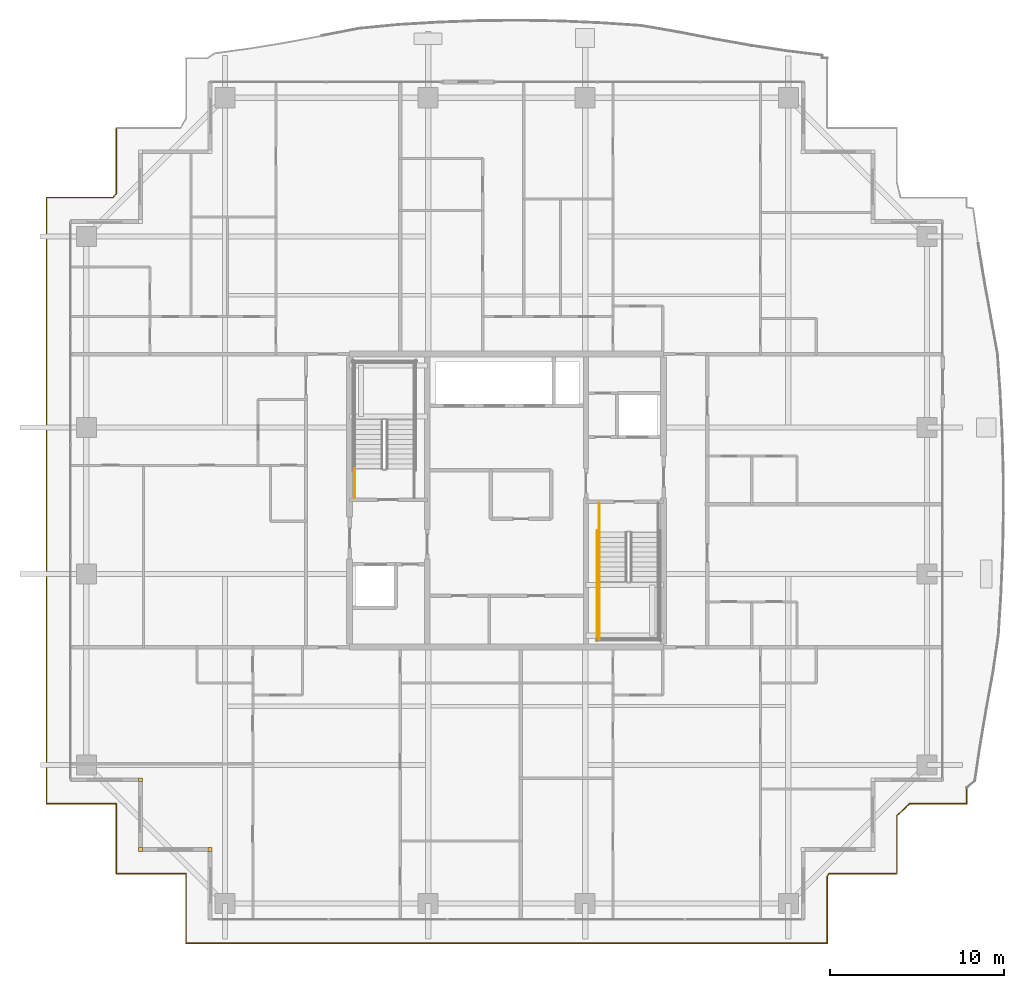
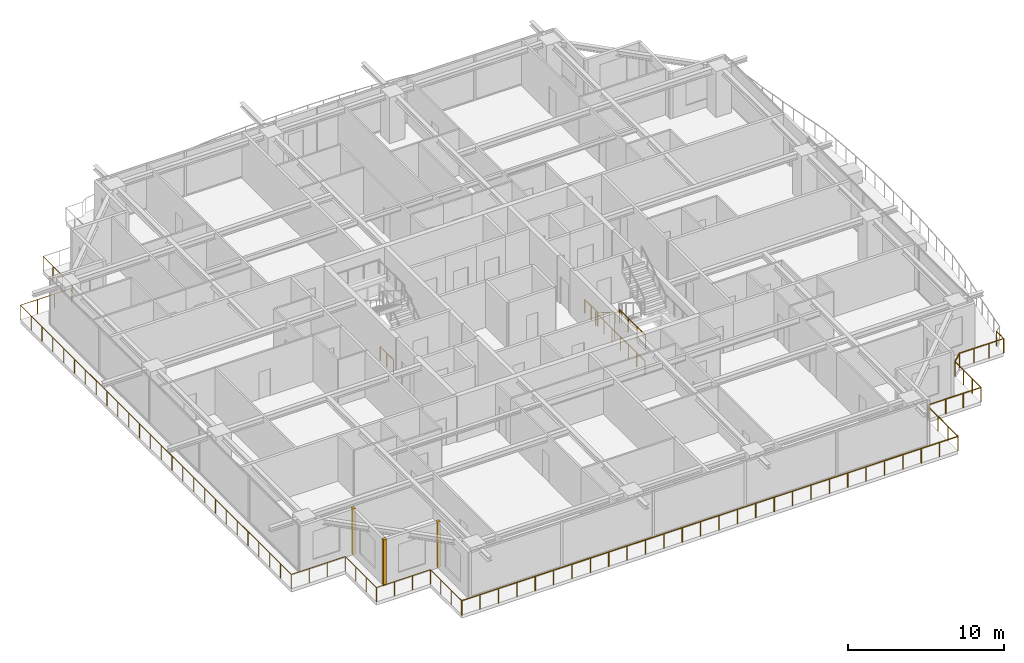
# One storey, part 33 of 37: 7 railings, 3 coverings.
"""IFC4 building model written with IfcOpenShell, lengths in metres."""

import ifcopenshell
import ifcopenshell.guid

model = None  # the IFC model being written
_history = None  # IfcOwnerHistory: only IFC2X3 demands one
_inside = {}  # id of a spatial element -> (the spatial element, [elements in it])
_under = {}  # id of a project, library or spatial element -> (it, [spatial elements below it])
_declared = {}  # id of a project -> (the project, [libraries it declares])
_typed = {}  # id of a type object -> (the type object, [elements of that type])
_made_of = {}  # id of a material, layer set ... -> (it, [elements and type objects made of it])


def new_model(schema):
    """Start an empty IFC model of exactly this schema.

    Asked for "IFC4X3", IfcOpenShell would pick the latest addendum, in which some entities
    have other attributes; the version numbers below select the first issue.
    IFC2X3 requires an IfcOwnerHistory on every rooted entity: one is made here for all.
    """
    global model, _history
    if schema == "IFC4X3":
        model = ifcopenshell.file(schema_version=(4, 3, 0, 0))
    else:
        model = ifcopenshell.file(schema=schema)
    _inside.clear()
    _under.clear()
    _declared.clear()
    _typed.clear()
    _made_of.clear()
    _history = None
    if model.schema == "IFC2X3":
        org = make("IfcOrganization", Name="unknown")
        user = make(
            "IfcPersonAndOrganization",
            ThePerson=make("IfcPerson", FamilyName="unknown"),
            TheOrganization=org,
        )
        app = make(
            "IfcApplication",
            ApplicationDeveloper=org,
            Version="unknown",
            ApplicationFullName="unknown",
            ApplicationIdentifier="unknown",
        )
        _history = make(
            "IfcOwnerHistory",
            OwningUser=user,
            OwningApplication=app,
            ChangeAction="ADDED",
            CreationDate=0,
        )
    return model


def make(cls, **values):
    """One entity of the class cls with the attributes given. An attribute that is None is left unset."""
    return model.create_entity(
        cls, **{name: value for name, value in values.items() if value is not None}
    )


def rooted(cls, **values):
    """An entity with a GlobalId (a new one), such as an element, a storey or a relation."""
    return make(cls, GlobalId=ifcopenshell.guid.new(), OwnerHistory=_history, **values)


def si_unit(unit_type, name, prefix=None):
    """IfcSIUnit, for example si_unit("LENGTHUNIT", "METRE", prefix="MILLI")."""
    return make("IfcSIUnit", UnitType=unit_type, Prefix=prefix, Name=name)


def assignment(units):
    """IfcUnitAssignment: the units of a project."""
    return None if units is None else make("IfcUnitAssignment", Units=units)


def point(xyz):
    """IfcCartesianPoint."""
    return None if xyz is None else make("IfcCartesianPoint", Coordinates=xyz)


def direction(xyz):
    """IfcDirection."""
    return None if xyz is None else make("IfcDirection", DirectionRatios=xyz)


def frame(location, z_axis=None, x_axis=None):
    """IfcAxis2Placement3D, a coordinate frame: its origin and axes. An axis left out is left unset."""
    return make(
        "IfcAxis2Placement3D",
        Location=point(location),
        Axis=direction(z_axis),
        RefDirection=direction(x_axis),
    )


def frame_2d(location, x_axis=None):
    """IfcAxis2Placement2D, a coordinate frame in the plane: its origin and x axis."""
    return make(
        "IfcAxis2Placement2D", Location=point(location), RefDirection=direction(x_axis)
    )


def origin():
    """The frame at (0, 0, 0) with its axes left unset."""
    return frame((0.0, 0.0, 0.0))


def origin_2d():
    """The frame at (0, 0) in the plane with its x axis left unset."""
    return frame_2d((0.0, 0.0))


def place(relative_to, where):
    """IfcLocalPlacement: puts the frame where relative to a parent placement (None: the world)."""
    return make(
        "IfcLocalPlacement", PlacementRelTo=relative_to, RelativePlacement=where
    )


def context(
    kind, dimensions, precision=None, world=None, true_north=None, identifier=None
):
    """IfcGeometricRepresentationContext, for example the 3D "Model" context."""
    return make(
        "IfcGeometricRepresentationContext",
        ContextIdentifier=identifier,
        ContextType=kind,
        CoordinateSpaceDimension=dimensions,
        Precision=precision,
        WorldCoordinateSystem=world,
        TrueNorth=true_north,
    )


def subcontext(parent, identifier, kind, view, scale=None):
    """IfcGeometricRepresentationSubContext, for example "Body" below "Model"."""
    return make(
        "IfcGeometricRepresentationSubContext",
        ContextIdentifier=identifier,
        ContextType=kind,
        ParentContext=parent,
        TargetScale=scale,
        TargetView=view,
    )


def project(units=None, contexts=None):
    """IfcProject with its units and contexts."""
    return rooted(
        "IfcProject",
        Name="project",
        RepresentationContexts=contexts,
        UnitsInContext=assignment(units),
    )


def spatial(cls, under=None, at=None, **own):
    """A site, building, storey or space (cls), placed at a placement, below another one or the project."""
    s = rooted(cls, ObjectPlacement=at, **own)
    if under is not None:
        _under.setdefault(under.id(), (under, []))[1].append(s)
    return s


def profile(cls, at=None, kind="AREA", **sizes):
    """A parametric profile (cls). Its sizes go by their IFC names, for example OverallWidth=200.0."""
    return make(cls, ProfileType=kind, Position=at, **sizes)


def rectangle(**sizes):
    """IfcRectangleProfileDef."""
    return profile("IfcRectangleProfileDef", **sizes)


def circle(**sizes):
    """IfcCircleProfileDef."""
    return profile("IfcCircleProfileDef", **sizes)


def extrude(swept, where, along, depth):
    """IfcExtrudedAreaSolid: the profile swept, set in the frame where, extruded along a direction by depth."""
    return make(
        "IfcExtrudedAreaSolid",
        SweptArea=swept,
        Position=where,
        ExtrudedDirection=direction(along),
        Depth=depth,
    )


def shape(context_of_items, identifier, shape_type, items):
    """IfcShapeRepresentation: the items that make up one representation, for example the "Body"."""
    return make(
        "IfcShapeRepresentation",
        ContextOfItems=context_of_items,
        RepresentationIdentifier=identifier,
        RepresentationType=shape_type,
        Items=items,
    )


def source(mapping_origin, context_of_items, identifier, shape_type, items):
    """IfcRepresentationMap: a shape defined once, which mapped items show again and again."""
    return make(
        "IfcRepresentationMap",
        MappingOrigin=mapping_origin,
        MappedRepresentation=shape(context_of_items, identifier, shape_type, items),
    )


def transform(
    local_origin,
    x_axis=None,
    y_axis=None,
    z_axis=None,
    scale=None,
    scale2=None,
    scale3=None,
    uniform=True,
):
    """IfcCartesianTransformationOperator3D, or its non-uniform kind. x_axis, y_axis, z_axis: its Axis1, 2, 3."""
    if uniform:
        return make(
            "IfcCartesianTransformationOperator3D",
            Axis1=direction(x_axis),
            Axis2=direction(y_axis),
            LocalOrigin=point(local_origin),
            Scale=scale,
            Axis3=direction(z_axis),
        )
    return make(
        "IfcCartesianTransformationOperator3DnonUniform",
        Axis1=direction(x_axis),
        Axis2=direction(y_axis),
        LocalOrigin=point(local_origin),
        Scale=scale,
        Axis3=direction(z_axis),
        Scale2=scale2,
        Scale3=scale3,
    )


def mapped(mapping_source, mapping_target):
    """IfcMappedItem: shows the shape of a source again, moved by a transform."""
    return make(
        "IfcMappedItem", MappingSource=mapping_source, MappingTarget=mapping_target
    )


def material(Name=None, Category=None):
    """IfcMaterial."""
    return make("IfcMaterial", Name=Name, Category=Category)


def layer(
    of_material, thickness, ventilated=None, Name=None, Category=None, Priority=None
):
    """IfcMaterialLayer: one layer of a wall or slab, of a material (None: an air gap)."""
    return make(
        "IfcMaterialLayer",
        Material=of_material,
        LayerThickness=thickness,
        IsVentilated=ventilated,
        Name=Name,
        Category=Category,
        Priority=Priority,
    )


def layer_set(layers, Name=None):
    """IfcMaterialLayerSet."""
    return make("IfcMaterialLayerSet", MaterialLayers=layers, LayerSetName=Name)


def made_of(thing, what):
    """Note that an element or type object is made of a material, layer set ...; save() writes the relation."""
    if what is not None:
        _made_of.setdefault(what.id(), (what, []))[1].append(thing)
    return thing


def type_object(cls, material=None, **own):
    """A type object (cls), such as IfcWallType, which elements share."""
    return made_of(rooted(cls, **own), material)


def element(
    cls,
    number,
    at=None,
    inside=None,
    cuts=None,
    type_object=None,
    material=None,
    context=None,
    identifier="Body",
    shape_type=None,
    held_by="IfcProductDefinitionShape",
    body=None,
    shapes=None,
    **own,
):
    """One element of the class cls, such as IfcWall. Its Tag is "e" and its number.

    at: its placement. inside: the storey or other place that contains it. cuts: it is an
    opening in that element (IfcRelVoidsElement). A single representation is given by context,
    identifier, shape_type and body (its items); several are given by shapes. held_by: the class
    of the entity that holds the representations. save() writes the other relations.
    """
    e = rooted(cls, Tag="e%d" % number, ObjectPlacement=at, **own)
    if body is not None:
        shapes = [shape(context, identifier, shape_type, body)]
    if shapes is not None:
        e.Representation = make(held_by, Representations=shapes)
    if inside is not None:
        _inside.setdefault(inside.id(), (inside, []))[1].append(e)
    if cuts is not None:
        rooted(
            "IfcRelVoidsElement", RelatingBuildingElement=cuts, RelatedOpeningElement=e
        )
    if type_object is not None:
        _typed.setdefault(type_object.id(), (type_object, []))[1].append(e)
    return made_of(e, material)


def aggregate(whole, parts):
    """IfcRelAggregates: a whole, such as a stair, and the parts it consists of."""
    return rooted("IfcRelAggregates", RelatingObject=whole, RelatedObjects=parts)


def save(model, path):
    """Write the relations noted so far, then the file.

    IfcRelAggregates (storeys below a building ...), IfcRelContainedInSpatialStructure (elements
    in a storey), IfcRelDefinesByType, IfcRelAssociatesMaterial and IfcRelDeclares: one each for
    every whole, place, type object, material and project.
    """
    for whole, parts in _under.values():
        aggregate(whole, parts)
    for where, things in _inside.values():
        rooted(
            "IfcRelContainedInSpatialStructure",
            RelatedElements=things,
            RelatingStructure=where,
        )
    for kind, things in _typed.values():
        rooted("IfcRelDefinesByType", RelatedObjects=things, RelatingType=kind)
    for what, things in _made_of.values():
        rooted("IfcRelAssociatesMaterial", RelatedObjects=things, RelatingMaterial=what)
    for by, libraries in _declared.values():
        rooted("IfcRelDeclares", RelatingContext=by, RelatedDefinitions=libraries)
    model.write(path)


model = new_model("IFC4")

# Units and contexts
model_context = context("Model", 3, precision=1e-05, world=origin(), true_north=direction((0.0, 1.0)))
body_context = subcontext(model_context, "Body", "Model", "MODEL_VIEW")
ifc_project = project(units=[si_unit("LENGTHUNIT", "METRE"), si_unit("AREAUNIT", "SQUARE_METRE"), si_unit("VOLUMEUNIT", "CUBIC_METRE"), si_unit("PLANEANGLEUNIT", "RADIAN"), si_unit("MASSUNIT", "GRAM", prefix="KILO")], contexts=[model_context])

# Site, building, storey
site_placement = place(None, origin())
site = spatial("IfcSite", under=ifc_project, at=site_placement, CompositionType="ELEMENT")
building_placement = place(site_placement, origin())
building = spatial("IfcBuilding", under=site, at=building_placement, Name="Serunith Strait Residences", CompositionType="ELEMENT")
storey_placement = place(building_placement, frame((0.0, 0.0, 279.75)))
storey = spatial("IfcBuildingStorey", under=building, at=storey_placement, Name="L70", CompositionType="ELEMENT", Elevation=279.75)

# Railings
ifc_material_1 = material(Name="Stainless Steel & Laminated Glass Balustrade", Category="steel")
railing_type_1 = type_object("IfcRailingType", Name="RLG-BALC-1150", PredefinedType="BALUSTRADE", material=ifc_material_1)
railing_1_placement = place(storey_placement, frame((58.780029296875, 8.743896484375, -0.050048828125)))
element("IfcRailing", 1, at=railing_1_placement, inside=storey, type_object=railing_type_1, Name="L70 Swirling Balcony Perimeter Balustrade 7", PredefinedType="BALUSTRADE", context=body_context, shape_type="SweptSolid", body=[
    extrude(circle(Radius=0.02392578125, at=origin_2d()), frame((0.0, -0.001953125, 1.1259765625), z_axis=(0.0, -1.0, 0.0), x_axis=(1.0, 0.0, 0.0)), (0.0, 0.0, 1.0), 0.919921875),
    extrude(circle(Radius=0.02392578125, at=origin_2d()), frame((-0.001953125, -0.923828125, 1.1259765625), z_axis=(-1.0, 0.0, 0.0), x_axis=(0.0, -1.0, 0.0)), (0.0, 0.0, 1.0), 3.27392578125),
    extrude(circle(Radius=0.02392578125, at=origin_2d()), frame((-3.279296875, -0.92529296875, 1.1259765625), z_axis=(-0.730291279243, -0.683135892382, 0.0), x_axis=(0.683135892382, -0.730291279243, 0.0)), (0.0, 0.0, 1.0), 0.98486328125),
    extrude(circle(Radius=0.02392578125, at=origin_2d()), frame((-4.0, -1.601318359375, 1.1259765625), z_axis=(0.0, -1.0, 0.0), x_axis=(1.0, 0.0, 0.0)), (0.0, 0.0, 1.0), 3.320556640625),
    extrude(circle(Radius=0.02392578125, at=origin_2d()), frame((-4.001953125, -4.923828125, 1.1259765625), z_axis=(-1.0, 0.0, 0.0), x_axis=(0.0, -1.0, 0.0)), (0.0, 0.0, 1.0), 3.894287109375),
    extrude(circle(Radius=0.02392578125, at=origin_2d()), frame((-7.899169921875, -4.925537109375, 1.1259765625), z_axis=(-0.547107957259, -0.837062054512, 0.0), x_axis=(0.837062054512, -0.547107957259, 0.0)), (0.0, 0.0, 1.0), 0.18212890625),
    extrude(circle(Radius=0.02392578125, at=origin_2d()), frame((-8.0, -5.08154296875, 1.1259765625), z_axis=(0.0, -1.0, 0.0), x_axis=(1.0, 0.0, 0.0)), (0.0, 0.0, 1.0), 3.84033203125),
    extrude(circle(Radius=0.02392578125, at=origin_2d()), frame((-8.001953125, -8.923828125, 1.1259765625), z_axis=(-1.0, 0.0, 0.0), x_axis=(0.0, -1.0, 0.0)), (0.0, 0.0, 1.0), 36.756103515625),
    extrude(circle(Radius=0.02099609375, at=origin_2d()), origin(), (0.0, 0.0, 1.0), 1.099853515625),
    extrude(circle(Radius=0.02099609375, at=origin_2d()), frame((0.0, -0.923828125, 0.0)), (0.0, 0.0, 1.0), 1.099853515625),
    extrude(circle(Radius=0.02099609375, at=origin_2d()), frame((-1.092529296875, -0.923828125, 0.0)), (0.0, 0.0, 1.0), 1.099853515625),
    extrude(circle(Radius=0.02099609375, at=origin_2d()), frame((-2.185302734375, -0.923828125, 0.0)), (0.0, 0.0, 1.0), 1.099853515625),
    extrude(circle(Radius=0.02099609375, at=origin_2d()), frame((-3.27783203125, -0.923828125, 0.0)), (0.0, 0.0, 1.0), 1.099853515625),
    extrude(circle(Radius=0.02099609375, at=origin_2d()), frame((-4.0, -1.599365234375, 0.0)), (0.0, 0.0, 1.0), 1.099853515625),
    extrude(circle(Radius=0.02099609375, at=origin_2d()), frame((-4.0, -2.70751953125, 0.0)), (0.0, 0.0, 1.0), 1.099853515625),
    extrude(circle(Radius=0.02099609375, at=origin_2d()), frame((-4.0, -3.815673828125, 0.0)), (0.0, 0.0, 1.0), 1.099853515625),
    extrude(circle(Radius=0.02099609375, at=origin_2d()), frame((-4.0, -4.923828125, 0.0)), (0.0, 0.0, 1.0), 1.099853515625),
    extrude(circle(Radius=0.02099609375, at=origin_2d()), frame((-5.29931640625, -4.923828125, 0.0)), (0.0, 0.0, 1.0), 1.099853515625),
    extrude(circle(Radius=0.02099609375, at=origin_2d()), frame((-6.598876953125, -4.923828125, 0.0)), (0.0, 0.0, 1.0), 1.099853515625),
    extrude(circle(Radius=0.02099609375, at=origin_2d()), frame((-7.898193359375, -4.923828125, 0.0)), (0.0, 0.0, 1.0), 1.099853515625),
    extrude(circle(Radius=0.02099609375, at=origin_2d()), frame((-8.0, -5.07958984375, 0.0)), (0.0, 0.0, 1.0), 1.099853515625),
    extrude(circle(Radius=0.02099609375, at=origin_2d()), frame((-8.0, -6.361083984375, 0.0)), (0.0, 0.0, 1.0), 1.099853515625),
    extrude(circle(Radius=0.02099609375, at=origin_2d()), frame((-8.0, -7.642333984375, 0.0)), (0.0, 0.0, 1.0), 1.099853515625),
    extrude(circle(Radius=0.02099609375, at=origin_2d()), frame((-8.0, -8.923828125, 0.0)), (0.0, 0.0, 1.0), 1.099853515625),
    extrude(circle(Radius=0.02099609375, at=origin_2d()), frame((-9.361572265625, -8.923828125, 0.0)), (0.0, 0.0, 1.0), 1.099853515625),
    extrude(circle(Radius=0.02099609375, at=origin_2d()), frame((-10.722900390625, -8.923828125, 0.0)), (0.0, 0.0, 1.0), 1.099853515625),
    extrude(circle(Radius=0.02099609375, at=origin_2d()), frame((-12.08447265625, -8.923828125, 0.0)), (0.0, 0.0, 1.0), 1.099853515625),
    extrude(circle(Radius=0.02099609375, at=origin_2d()), frame((-13.446044921875, -8.923828125, 0.0)), (0.0, 0.0, 1.0), 1.099853515625),
    extrude(circle(Radius=0.02099609375, at=origin_2d()), frame((-14.807373046875, -8.923828125, 0.0)), (0.0, 0.0, 1.0), 1.099853515625),
    extrude(circle(Radius=0.02099609375, at=origin_2d()), frame((-16.1689453125, -8.923828125, 0.0)), (0.0, 0.0, 1.0), 1.099853515625),
    extrude(circle(Radius=0.02099609375, at=origin_2d()), frame((-17.5302734375, -8.923828125, 0.0)), (0.0, 0.0, 1.0), 1.099853515625),
    extrude(circle(Radius=0.02099609375, at=origin_2d()), frame((-18.891845703125, -8.923828125, 0.0)), (0.0, 0.0, 1.0), 1.099853515625),
    extrude(circle(Radius=0.02099609375, at=origin_2d()), frame((-20.25341796875, -8.923828125, 0.0)), (0.0, 0.0, 1.0), 1.099853515625),
    extrude(circle(Radius=0.02099609375, at=origin_2d()), frame((-21.61474609375, -8.923828125, 0.0)), (0.0, 0.0, 1.0), 1.099853515625),
    extrude(circle(Radius=0.02099609375, at=origin_2d()), frame((-22.976318359375, -8.923828125, 0.0)), (0.0, 0.0, 1.0), 1.099853515625),
    extrude(circle(Radius=0.02099609375, at=origin_2d()), frame((-24.337890625, -8.923828125, 0.0)), (0.0, 0.0, 1.0), 1.099853515625),
    extrude(circle(Radius=0.02099609375, at=origin_2d()), frame((-25.69921875, -8.923828125, 0.0)), (0.0, 0.0, 1.0), 1.099853515625),
    extrude(circle(Radius=0.02099609375, at=origin_2d()), frame((-27.060791015625, -8.923828125, 0.0)), (0.0, 0.0, 1.0), 1.099853515625),
    extrude(circle(Radius=0.02099609375, at=origin_2d()), frame((-28.422119140625, -8.923828125, 0.0)), (0.0, 0.0, 1.0), 1.099853515625),
    extrude(circle(Radius=0.02099609375, at=origin_2d()), frame((-29.78369140625, -8.923828125, 0.0)), (0.0, 0.0, 1.0), 1.099853515625),
    extrude(circle(Radius=0.02099609375, at=origin_2d()), frame((-31.145263671875, -8.923828125, 0.0)), (0.0, 0.0, 1.0), 1.099853515625),
    extrude(circle(Radius=0.02099609375, at=origin_2d()), frame((-32.506591796875, -8.923828125, 0.0)), (0.0, 0.0, 1.0), 1.099853515625),
    extrude(circle(Radius=0.02099609375, at=origin_2d()), frame((-33.8681640625, -8.923828125, 0.0)), (0.0, 0.0, 1.0), 1.099853515625),
    extrude(circle(Radius=0.02099609375, at=origin_2d()), frame((-35.229736328125, -8.923828125, 0.0)), (0.0, 0.0, 1.0), 1.099853515625),
    extrude(circle(Radius=0.02099609375, at=origin_2d()), frame((-36.591064453125, -8.923828125, 0.0)), (0.0, 0.0, 1.0), 1.099853515625),
    extrude(circle(Radius=0.02099609375, at=origin_2d()), frame((-37.95263671875, -8.923828125, 0.0)), (0.0, 0.0, 1.0), 1.099853515625),
    extrude(circle(Radius=0.02099609375, at=origin_2d()), frame((-39.31396484375, -8.923828125, 0.0)), (0.0, 0.0, 1.0), 1.099853515625),
    extrude(circle(Radius=0.02099609375, at=origin_2d()), frame((-40.675537109375, -8.923828125, 0.0)), (0.0, 0.0, 1.0), 1.099853515625),
    extrude(circle(Radius=0.02099609375, at=origin_2d()), frame((-42.037109375, -8.923828125, 0.0)), (0.0, 0.0, 1.0), 1.099853515625),
    extrude(circle(Radius=0.02099609375, at=origin_2d()), frame((-43.3984375, -8.923828125, 0.0)), (0.0, 0.0, 1.0), 1.099853515625),
    extrude(circle(Radius=0.02099609375, at=origin_2d()), frame((-44.760009765625, -8.923828125, 0.0)), (0.0, 0.0, 1.0), 1.099853515625),
])
railing_2_placement = place(storey_placement, frame((14.02001953125, -0.179931640625, -0.050048828125)))
element("IfcRailing", 2, at=railing_2_placement, inside=storey, type_object=railing_type_1, Name="L70 Swirling Balcony Perimeter Balustrade 8", PredefinedType="BALUSTRADE", context=body_context, shape_type="SweptSolid", body=[
    extrude(circle(Radius=0.02392578125, at=origin_2d()), frame((0.0, 0.001953125, 1.1259765625), z_axis=(0.0, 1.0, 0.0), x_axis=(-1.0, 0.0, 0.0)), (0.0, 0.0, 1.0), 3.99609375),
    extrude(circle(Radius=0.02392578125, at=origin_2d()), frame((-0.001953125, 4.0, 1.1259765625), z_axis=(-1.0, 0.0, 0.0), x_axis=(0.0, -1.0, 0.0)), (0.0, 0.0, 1.0), 3.99609375),
    extrude(circle(Radius=0.02392578125, at=origin_2d()), frame((-4.0, 4.001953125, 1.1259765625), z_axis=(0.0, 1.0, 0.0), x_axis=(-1.0, 0.0, 0.0)), (0.0, 0.0, 1.0), 3.99609375),
    extrude(circle(Radius=0.02392578125, at=origin_2d()), frame((-4.001953125, 8.0, 1.1259765625), z_axis=(-1.0, 0.0, 0.0), x_axis=(0.0, -1.0, 0.0)), (0.0, 0.0, 1.0), 3.99609375),
    extrude(circle(Radius=0.02392578125, at=origin_2d()), frame((-8.0, 8.001953125, 1.1259765625), z_axis=(0.0, 1.0, 0.0), x_axis=(-1.0, 0.0, 0.0)), (0.0, 0.0, 1.0), 34.756103515625),
    extrude(circle(Radius=0.02392578125, at=origin_2d()), frame((-7.998046875, 42.760009765625, 1.1259765625), z_axis=(1.0, 0.0, 0.0), x_axis=(0.0, 1.0, 0.0)), (0.0, 0.0, 1.0), 3.801025390625),
    extrude(circle(Radius=0.02392578125, at=origin_2d()), frame((-4.19384765625, 42.761474609375, 1.1259765625), z_axis=(0.660199372359, 0.751090399843, 0.0), x_axis=(-0.751090399843, 0.660199372359, 0.0)), (0.0, 0.0, 1.0), 0.29150390625),
    extrude(circle(Radius=0.02392578125, at=origin_2d()), frame((-4.0, 42.98388671875, 1.1259765625), z_axis=(0.0, 1.0, 0.0), x_axis=(-1.0, 0.0, 0.0)), (0.0, 0.0, 1.0), 3.774169921875),
    extrude(circle(Radius=0.02099609375, at=origin_2d()), origin(), (0.0, 0.0, 1.0), 1.099853515625),
    extrude(circle(Radius=0.02099609375, at=origin_2d()), frame((0.0, 1.333251953125, 0.0)), (0.0, 0.0, 1.0), 1.099853515625),
    extrude(circle(Radius=0.02099609375, at=origin_2d()), frame((0.0, 2.666748046875, 0.0)), (0.0, 0.0, 1.0), 1.099853515625),
    extrude(circle(Radius=0.02099609375, at=origin_2d()), frame((0.0, 4.0, 0.0)), (0.0, 0.0, 1.0), 1.099853515625),
    extrude(circle(Radius=0.02099609375, at=origin_2d()), frame((-1.333251953125, 4.0, 0.0)), (0.0, 0.0, 1.0), 1.099853515625),
    extrude(circle(Radius=0.02099609375, at=origin_2d()), frame((-2.666748046875, 4.0, 0.0)), (0.0, 0.0, 1.0), 1.099853515625),
    extrude(circle(Radius=0.02099609375, at=origin_2d()), frame((-4.0, 4.0, 0.0)), (0.0, 0.0, 1.0), 1.099853515625),
    extrude(circle(Radius=0.02099609375, at=origin_2d()), frame((-4.0, 5.333251953125, 0.0)), (0.0, 0.0, 1.0), 1.099853515625),
    extrude(circle(Radius=0.02099609375, at=origin_2d()), frame((-4.0, 6.666748046875, 0.0)), (0.0, 0.0, 1.0), 1.099853515625),
    extrude(circle(Radius=0.02099609375, at=origin_2d()), frame((-4.0, 8.0, 0.0)), (0.0, 0.0, 1.0), 1.099853515625),
    extrude(circle(Radius=0.02099609375, at=origin_2d()), frame((-5.333251953125, 8.0, 0.0)), (0.0, 0.0, 1.0), 1.099853515625),
    extrude(circle(Radius=0.02099609375, at=origin_2d()), frame((-6.666748046875, 8.0, 0.0)), (0.0, 0.0, 1.0), 1.099853515625),
    extrude(circle(Radius=0.02099609375, at=origin_2d()), frame((-8.0, 8.0, 0.0)), (0.0, 0.0, 1.0), 1.099853515625),
    extrude(circle(Radius=0.02099609375, at=origin_2d()), frame((-8.0, 9.390380859375, 0.0)), (0.0, 0.0, 1.0), 1.099853515625),
    extrude(circle(Radius=0.02099609375, at=origin_2d()), frame((-8.0, 10.78076171875, 0.0)), (0.0, 0.0, 1.0), 1.099853515625),
    extrude(circle(Radius=0.02099609375, at=origin_2d()), frame((-8.0, 12.171142578125, 0.0)), (0.0, 0.0, 1.0), 1.099853515625),
    extrude(circle(Radius=0.02099609375, at=origin_2d()), frame((-8.0, 13.5615234375, 0.0)), (0.0, 0.0, 1.0), 1.099853515625),
    extrude(circle(Radius=0.02099609375, at=origin_2d()), frame((-8.0, 14.951904296875, 0.0)), (0.0, 0.0, 1.0), 1.099853515625),
    extrude(circle(Radius=0.02099609375, at=origin_2d()), frame((-8.0, 16.34228515625, 0.0)), (0.0, 0.0, 1.0), 1.099853515625),
    extrude(circle(Radius=0.02099609375, at=origin_2d()), frame((-8.0, 17.73291015625, 0.0)), (0.0, 0.0, 1.0), 1.099853515625),
    extrude(circle(Radius=0.02099609375, at=origin_2d()), frame((-8.0, 19.123291015625, 0.0)), (0.0, 0.0, 1.0), 1.099853515625),
    extrude(circle(Radius=0.02099609375, at=origin_2d()), frame((-8.0, 20.513671875, 0.0)), (0.0, 0.0, 1.0), 1.099853515625),
    extrude(circle(Radius=0.02099609375, at=origin_2d()), frame((-8.0, 21.904052734375, 0.0)), (0.0, 0.0, 1.0), 1.099853515625),
    extrude(circle(Radius=0.02099609375, at=origin_2d()), frame((-8.0, 23.29443359375, 0.0)), (0.0, 0.0, 1.0), 1.099853515625),
    extrude(circle(Radius=0.02099609375, at=origin_2d()), frame((-8.0, 24.684814453125, 0.0)), (0.0, 0.0, 1.0), 1.099853515625),
    extrude(circle(Radius=0.02099609375, at=origin_2d()), frame((-8.0, 26.0751953125, 0.0)), (0.0, 0.0, 1.0), 1.099853515625),
    extrude(circle(Radius=0.02099609375, at=origin_2d()), frame((-8.0, 27.465576171875, 0.0)), (0.0, 0.0, 1.0), 1.099853515625),
    extrude(circle(Radius=0.02099609375, at=origin_2d()), frame((-8.0, 28.85595703125, 0.0)), (0.0, 0.0, 1.0), 1.099853515625),
    extrude(circle(Radius=0.02099609375, at=origin_2d()), frame((-8.0, 30.246337890625, 0.0)), (0.0, 0.0, 1.0), 1.099853515625),
    extrude(circle(Radius=0.02099609375, at=origin_2d()), frame((-8.0, 31.63671875, 0.0)), (0.0, 0.0, 1.0), 1.099853515625),
    extrude(circle(Radius=0.02099609375, at=origin_2d()), frame((-8.0, 33.027099609375, 0.0)), (0.0, 0.0, 1.0), 1.099853515625),
    extrude(circle(Radius=0.02099609375, at=origin_2d()), frame((-8.0, 34.417724609375, 0.0)), (0.0, 0.0, 1.0), 1.099853515625),
    extrude(circle(Radius=0.02099609375, at=origin_2d()), frame((-8.0, 35.80810546875, 0.0)), (0.0, 0.0, 1.0), 1.099853515625),
    extrude(circle(Radius=0.02099609375, at=origin_2d()), frame((-8.0, 37.198486328125, 0.0)), (0.0, 0.0, 1.0), 1.099853515625),
    extrude(circle(Radius=0.02099609375, at=origin_2d()), frame((-8.0, 38.5888671875, 0.0)), (0.0, 0.0, 1.0), 1.099853515625),
    extrude(circle(Radius=0.02099609375, at=origin_2d()), frame((-8.0, 39.979248046875, 0.0)), (0.0, 0.0, 1.0), 1.099853515625),
    extrude(circle(Radius=0.02099609375, at=origin_2d()), frame((-8.0, 41.36962890625, 0.0)), (0.0, 0.0, 1.0), 1.099853515625),
    extrude(circle(Radius=0.02099609375, at=origin_2d()), frame((-8.0, 42.760009765625, 0.0)), (0.0, 0.0, 1.0), 1.099853515625),
    extrude(circle(Radius=0.02099609375, at=origin_2d()), frame((-6.731689453125, 42.760009765625, 0.0)), (0.0, 0.0, 1.0), 1.099853515625),
    extrude(circle(Radius=0.02099609375, at=origin_2d()), frame((-5.46337890625, 42.760009765625, 0.0)), (0.0, 0.0, 1.0), 1.099853515625),
    extrude(circle(Radius=0.02099609375, at=origin_2d()), frame((-4.195068359375, 42.760009765625, 0.0)), (0.0, 0.0, 1.0), 1.099853515625),
    extrude(circle(Radius=0.02099609375, at=origin_2d()), frame((-4.0, 42.98193359375, 0.0)), (0.0, 0.0, 1.0), 1.099853515625),
    extrude(circle(Radius=0.02099609375, at=origin_2d()), frame((-4.0, 44.2412109375, 0.0)), (0.0, 0.0, 1.0), 1.099853515625),
    extrude(circle(Radius=0.02099609375, at=origin_2d()), frame((-4.0, 45.500732421875, 0.0)), (0.0, 0.0, 1.0), 1.099853515625),
    extrude(circle(Radius=0.02099609375, at=origin_2d()), frame((-4.0, 46.760009765625, 0.0)), (0.0, 0.0, 1.0), 1.099853515625),
])
ifc_material_2 = material(Name="Brushed stainless steel 316L", Category="steel")
railing_type_2 = type_object("IfcRailingType", Name="RLG-STAIR-GUARD", PredefinedType="BALUSTRADE", material=ifc_material_2)
railing_3_placement = place(storey_placement, frame((23.699951171875, 25.35009765625, 0.0)))
element("IfcRailing", 3, at=railing_3_placement, inside=storey, type_object=railing_type_2, Name="L70 ST-1 stair guard 9", PredefinedType="BALUSTRADE", context=body_context, shape_type="SweptSolid", body=[
    extrude(circle(Radius=0.02392578125, at=origin_2d()), frame((0.0, 0.001953125, 1.076171875), z_axis=(0.0, 1.0, 0.0), x_axis=(-1.0, 0.0, 0.0)), (0.0, 0.0, 1.0), 1.676025390625),
    extrude(circle(Radius=0.02099609375, at=origin_2d()), origin(), (0.0, 0.0, 1.0), 1.050048828125),
    extrude(circle(Radius=0.02099609375, at=origin_2d()), frame((0.0, 0.83984375, 0.0)), (0.0, 0.0, 1.0), 1.050048828125),
    extrude(circle(Radius=0.02099609375, at=origin_2d()), frame((0.0, 1.679931640625, 0.0)), (0.0, 0.0, 1.0), 1.050048828125),
])
railing_4_placement = place(storey_placement, frame((37.699951171875, 20.570068359375, 1.925048828125)))
element("IfcRailing", 4, at=railing_4_placement, inside=storey, type_object=railing_type_2, Name="L70 ST-2 stair guard 3", PredefinedType="BALUSTRADE", context=body_context, shape_type="SweptSolid", body=[
    extrude(circle(Radius=0.02392578125, at=origin_2d()), frame((0.0, -0.001953125, 1.076171875), z_axis=(0.0, -1.0, 0.0), x_axis=(1.0, 0.0, 0.0)), (0.0, 0.0, 1.0), 3.316162109375),
    extrude(circle(Radius=0.02099609375, at=origin_2d()), origin(), (0.0, 0.0, 1.0), 1.050048828125),
    extrude(circle(Radius=0.02099609375, at=origin_2d()), frame((0.0, -1.106689453125, 0.0)), (0.0, 0.0, 1.0), 1.050048828125),
    extrude(circle(Radius=0.02099609375, at=origin_2d()), frame((0.0, -2.21337890625, 0.0)), (0.0, 0.0, 1.0), 1.050048828125),
    extrude(circle(Radius=0.02099609375, at=origin_2d()), frame((0.0, -3.320068359375, 0.0)), (0.0, 0.0, 1.0), 1.050048828125),
])
railing_5_placement = place(storey_placement, frame((37.699951171875, 25.050048828125, 0.0)))
element("IfcRailing", 5, at=railing_5_placement, inside=storey, type_object=railing_type_2, Name="L70 ST-2 stair guard 8", PredefinedType="BALUSTRADE", context=body_context, shape_type="SweptSolid", body=[
    extrude(circle(Radius=0.02392578125, at=origin_2d()), frame((0.0, -0.001953125, 1.076171875), z_axis=(0.0, -1.0, 0.0), x_axis=(1.0, 0.0, 0.0)), (0.0, 0.0, 1.0), 1.676025390625),
    extrude(circle(Radius=0.02099609375, at=origin_2d()), origin(), (0.0, 0.0, 1.0), 1.050048828125),
    extrude(circle(Radius=0.02099609375, at=origin_2d()), frame((0.0, -0.83984375, 0.0)), (0.0, 0.0, 1.0), 1.050048828125),
    extrude(circle(Radius=0.02099609375, at=origin_2d()), frame((0.0, -1.679931640625, 0.0)), (0.0, 0.0, 1.0), 1.050048828125),
])
railing_6_placement = place(storey_placement, frame((37.60009765625, 23.469970703125, 0.0)))
element("IfcRailing", 6, at=railing_6_placement, inside=storey, type_object=railing_type_2, Name="L70 ST-2 stair guard 10", PredefinedType="BALUSTRADE", context=body_context, shape_type="SweptSolid", body=[
    extrude(circle(Radius=0.02392578125, at=origin_2d()), frame((0.0, -0.001953125, 1.076171875), z_axis=(0.0, -1.0, 0.0), x_axis=(1.0, 0.0, 0.0)), (0.0, 0.0, 1.0), 6.316162109375),
    extrude(circle(Radius=0.02099609375, at=origin_2d()), origin(), (0.0, 0.0, 1.0), 1.050048828125),
    extrude(circle(Radius=0.02099609375, at=origin_2d()), frame((0.0, -1.05322265625, 0.0)), (0.0, 0.0, 1.0), 1.050048828125),
    extrude(circle(Radius=0.02099609375, at=origin_2d()), frame((0.0, -2.106689453125, 0.0)), (0.0, 0.0, 1.0), 1.050048828125),
    extrude(circle(Radius=0.02099609375, at=origin_2d()), frame((0.0, -3.16015625, 0.0)), (0.0, 0.0, 1.0), 1.050048828125),
    extrude(circle(Radius=0.02099609375, at=origin_2d()), frame((0.0, -4.21337890625, 0.0)), (0.0, 0.0, 1.0), 1.050048828125),
    extrude(circle(Radius=0.02099609375, at=origin_2d()), frame((0.0, -5.2666015625, 0.0)), (0.0, 0.0, 1.0), 1.050048828125),
    extrude(circle(Radius=0.02099609375, at=origin_2d()), frame((0.0, -6.320068359375, 0.0)), (0.0, 0.0, 1.0), 1.050048828125),
])
railing_type_3 = type_object("IfcRailingType", Name="RLG-STAIR-HR", PredefinedType="HANDRAIL", material=ifc_material_2)
railing_7_placement = place(storey_placement, frame((37.699951171875, 23.3701171875, 0.175048828125)))
element("IfcRailing", 7, at=railing_7_placement, inside=storey, type_object=railing_type_3, Name="L70 ST-2 stair handrail 1", PredefinedType="HANDRAIL", context=body_context, shape_type="SweptSolid", body=[
    extrude(circle(Radius=0.02392578125, at=origin_2d()), frame((0.0, -0.001708984375, 0.876953125), z_axis=(0.0, -0.847393994688, 0.530964610654), x_axis=(1.0, 0.0, 0.0)), (0.0, 0.0, 1.0), 3.630859375),
    extrude(circle(Radius=0.02099609375, at=origin_2d()), origin(), (0.0, 0.0, 1.0), 0.849853515625),
    extrude(circle(Radius=0.02099609375, at=origin_2d()), frame((0.0, -0.77001953125, 0.482421875)), (0.0, 0.0, 1.0), 0.849853515625),
    extrude(circle(Radius=0.02099609375, at=origin_2d()), frame((0.0, -1.5400390625, 0.96484375)), (0.0, 0.0, 1.0), 0.849853515625),
    extrude(circle(Radius=0.02099609375, at=origin_2d()), frame((0.0, -2.31005859375, 1.447509765625)), (0.0, 0.0, 1.0), 0.849853515625),
    extrude(circle(Radius=0.02099609375, at=origin_2d()), frame((0.0, -3.080078125, 1.929931640625)), (0.0, 0.0, 1.0), 0.849853515625),
])

# Coverings
ifc_material_3 = material(Name="Pale-Champagne Anodised Aluminium", Category="aluminium")
ifc_layer = layer(ifc_material_3, 0.219970703125, Name="Pale-Champagne Anodised Aluminium")
ifc_layer_set = layer_set([ifc_layer], Name="Pale-Champagne Anodised Aluminium")
covering_type = type_object("IfcCoveringType", Name="COV-CORN-TRIM", PredefinedType="CLADDING", material=ifc_layer_set)
shared_shape = source(origin(), body_context, "Body", "SweptSolid", [
    extrude(rectangle(XDim=0.221923828125, YDim=0.221923828125, at=origin_2d()), origin(), (0.0, 0.0, 1.0), 3.574951171875),
])
for number, where, z_axis, x_axis, name in (
    (8, (11.39990234375, 9.199951171875, 0.0), (0.0, 0.0, 1.0), (1.0, 0.0, 0.0), "L70 Girih Serrated Corner Trim Post 17"),
    (9, (11.39990234375, 5.199951171875, 0.0), (0.0, 0.0, 1.0), (1.0, 0.0, 0.0), "L70 Girih Serrated Corner Trim Post 18"),
    (10, (15.39990234375, 5.199951171875, 0.0), (0.0, 0.0, 1.0), (1.0, 0.0, 0.0), "L70 Girih Serrated Corner Trim Post 19"),
):
    element("IfcCovering", number, at=place(storey_placement, frame(where, z_axis=z_axis, x_axis=x_axis)), inside=storey, type_object=covering_type, Name=name, PredefinedType="CLADDING", context=body_context, shape_type="MappedRepresentation", body=[
        mapped(shared_shape, transform((0.0, 0.0, 0.0), scale=1.0)),
    ])

save(model, "model.ifc")
